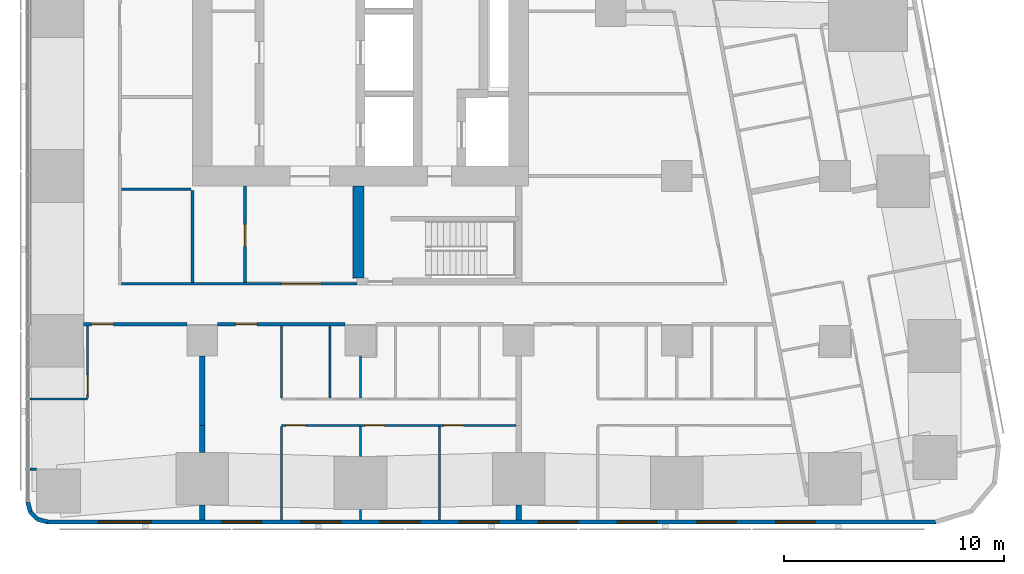
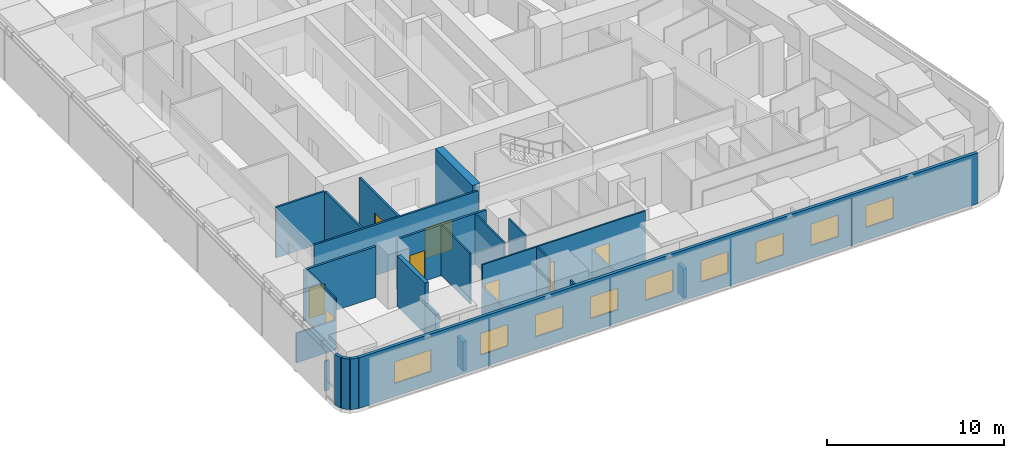
# One storey, part 10 of 19: 26 walls, 9 windows, 8 doors, 17 openings.
"""IFC4 building model written with IfcOpenShell, lengths in metres."""

from ifc_helpers import new_model, si_unit, direction, frame, frame_2d, origin, place, context, subcontext, project, spatial, rectangle, extrude, material, layer, layer_set, type_object, element, fill, save


model = new_model("IFC4")

# Units and contexts
model_context = context("Model", 3, precision=1e-05, world=origin(), true_north=direction((0.0, 1.0)))
body_context = subcontext(model_context, "Body", "Model", "MODEL_VIEW")
ifc_project = project(units=[si_unit("LENGTHUNIT", "METRE"), si_unit("AREAUNIT", "SQUARE_METRE"), si_unit("VOLUMEUNIT", "CUBIC_METRE"), si_unit("PLANEANGLEUNIT", "RADIAN"), si_unit("MASSUNIT", "GRAM", prefix="KILO")], contexts=[model_context])

# Site, building, storey
site_placement = place(None, origin())
site = spatial("IfcSite", under=ifc_project, at=site_placement, CompositionType="ELEMENT")
building_placement = place(site_placement, origin())
building = spatial("IfcBuilding", under=site, at=building_placement, Name="Sheger Commons Tower", CompositionType="ELEMENT")
storey_placement = place(building_placement, frame((0.0, 0.0, 201.199951171875)))
storey = spatial("IfcBuildingStorey", under=building, at=storey_placement, Name="L51", CompositionType="ELEMENT", Elevation=201.199951171875)

# Wall, opening, door
ifc_material_1 = material(Name="Hollow concrete block masonry, skimmed both sides", Category="masonry")
ifc_layer_1 = layer(ifc_material_1, 0.14990234375)
ifc_layer_set_1 = layer_set([ifc_layer_1], Name="CORRIDOR WALL 150")
wall_type_1 = type_object("IfcWallType", Name="CORRIDOR WALL 150", PredefinedType="SOLIDWALL", material=ifc_layer_set_1)
wall_1_placement = place(storey_placement, frame((20.89892578125, 8.25, 0.0), z_axis=(0.0, 0.0, 1.0), x_axis=(-1.0, 0.0, 0.0)))
wall_1 = element("IfcWall", 1, at=wall_1_placement, inside=storey, type_object=wall_type_1, Name="Corridor wall L51", PredefinedType="SOLIDWALL", context=body_context, shape_type="SweptSolid", body=[
    extrude(rectangle(XDim=5.7978515625, YDim=0.14990234375, at=frame_2d((2.89892578125, 0.0))), origin(), (0.0, 0.0, 1.0), 3.5),
])
opening_1_placement = place(wall_1_placement, frame((3.9990234375, 0.0, 0.0)))
opening_1 = element("IfcOpeningElement", 2, at=opening_1_placement, cuts=wall_1, Name="Opening D1", PredefinedType="OPENING", context=body_context, shape_type="SweptSolid", body=[
    extrude(rectangle(XDim=1.0, YDim=2.10009765625, at=frame_2d((0.5, 1.050048828125))), frame((0.0, 0.0849609375, 0.0), z_axis=(0.0, -1.0, 0.0), x_axis=(1.0, 0.0, 0.0)), (0.0, 0.0, 1.0), 0.169921875),
])
ifc_material_2 = material(Name="Steel door set, fire rated", Category="steel")
door_type_1 = type_object("IfcDoorType", Name="FLAT ENTRANCE DOOR 1000x2100", OperationType="NOTDEFINED", PredefinedType="DOOR", material=ifc_material_2)
door_1_placement = place(opening_1_placement, origin())
door_1 = element("IfcDoor", 3, at=door_1_placement, inside=storey, type_object=door_type_1, Name="Flat entrance door", OperationType="SINGLE_SWING_RIGHT", OverallHeight=2.10009765625, OverallWidth=1.0, PredefinedType="DOOR", context=body_context, shape_type="SweptSolid", body=[
    extrude(rectangle(XDim=1.0, YDim=2.10009765625, at=frame_2d((0.5, 1.050048828125))), frame((0.0, 0.02490234375, 0.0), z_axis=(0.0, -1.0, 0.0), x_axis=(1.0, 0.0, 0.0)), (0.0, 0.0, 1.0), 0.050048828125),
])
fill(opening_1, door_1)

wall_2_placement = place(storey_placement, frame((13.698974609375, 8.25, 0.0), z_axis=(0.0, 0.0, 1.0), x_axis=(-1.0, 0.0, 0.0)))
wall_2 = element("IfcWall", 4, at=wall_2_placement, inside=storey, type_object=wall_type_1, Name="Corridor wall L51", PredefinedType="SOLIDWALL", context=body_context, shape_type="SweptSolid", body=[
    extrude(rectangle(XDim=4.697998046875, YDim=0.14990234375, at=frame_2d((2.34912109375, 0.0))), origin(), (0.0, 0.0, 1.0), 3.5),
])
opening_2_placement = place(wall_2_placement, frame((3.344970703125, 0.0, 0.0)))
opening_2 = element("IfcOpeningElement", 5, at=opening_2_placement, cuts=wall_2, Name="Opening D1", PredefinedType="OPENING", context=body_context, shape_type="SweptSolid", body=[
    extrude(rectangle(XDim=1.0, YDim=2.10009765625, at=frame_2d((0.5, 1.050048828125))), frame((0.0, 0.0849609375, 0.0), z_axis=(0.0, -1.0, 0.0), x_axis=(1.0, 0.0, 0.0)), (0.0, 0.0, 1.0), 0.169921875),
])
door_2_placement = place(opening_2_placement, origin())
door_2 = element("IfcDoor", 6, at=door_2_placement, inside=storey, type_object=door_type_1, Name="Flat entrance door", OperationType="SINGLE_SWING_LEFT", OverallHeight=2.10009765625, OverallWidth=1.0, PredefinedType="DOOR", context=body_context, shape_type="SweptSolid", body=[
    extrude(rectangle(XDim=1.0, YDim=2.10009765625, at=frame_2d((0.5, 1.050048828125))), frame((0.0, 0.02490234375, 0.0), z_axis=(0.0, -1.0, 0.0), x_axis=(1.0, 0.0, 0.0)), (0.0, 0.0, 1.0), 0.050048828125),
])
fill(opening_2, door_2)

# Walls
ifc_material_3 = material(Name="Dense concrete block masonry, plastered both sides (separating wall between flats)", Category="masonry")
ifc_layer_2 = layer(ifc_material_3, 0.25)
ifc_layer_set_2 = layer_set([ifc_layer_2], Name="DEMISING WALL 250")
wall_type_2 = type_object("IfcWallType", Name="DEMISING WALL 250", PredefinedType="SOLIDWALL", material=ifc_layer_set_2)
wall_3_placement = place(storey_placement, frame((14.39990234375, -0.64990234375, 0.0), z_axis=(0.0, 0.0, 1.0), x_axis=(0.0, 1.0, 0.0)))
element("IfcWall", 7, at=wall_3_placement, inside=storey, type_object=wall_type_2, Name="Demising wall L51", PredefinedType="SOLIDWALL", context=body_context, shape_type="SweptSolid", body=[
    extrude(rectangle(XDim=0.673828125, YDim=0.25, at=frame_2d((0.3369140625, 0.0))), origin(), (0.0, 0.0, 1.0), 2.050048828125),
])
wall_4_placement = place(storey_placement, frame((14.39990234375, 2.426025390625, 0.0), z_axis=(0.0, 0.0, 1.0), x_axis=(0.0, 1.0, 0.0)))
element("IfcWall", 8, at=wall_4_placement, inside=storey, type_object=wall_type_2, Name="Demising wall L51", PredefinedType="SOLIDWALL", context=body_context, shape_type="SweptSolid", body=[
    extrude(rectangle(XDim=1.223876953125, YDim=0.25, at=frame_2d((0.61181640625, 0.0))), origin(), (0.0, 0.0, 1.0), 2.050048828125),
])
wall_5_placement = place(storey_placement, frame((14.39990234375, 3.64990234375, 0.0), z_axis=(0.0, 0.0, 1.0), x_axis=(0.0, 1.0, 0.0)))
element("IfcWall", 9, at=wall_5_placement, inside=storey, type_object=wall_type_2, Name="Demising wall L51", PredefinedType="SOLIDWALL", context=body_context, shape_type="SweptSolid", body=[
    extrude(rectangle(XDim=3.149169921875, YDim=0.25, at=frame_2d((1.57470703125, 0.0))), origin(), (0.0, 0.0, 1.0), 3.5),
])
wall_6_placement = place(storey_placement, frame((28.800048828125, -0.64990234375, 0.0), z_axis=(0.0, 0.0, 1.0), x_axis=(0.0, 1.0, 0.0)))
element("IfcWall", 10, at=wall_6_placement, inside=storey, type_object=wall_type_2, Name="Demising wall L51", PredefinedType="SOLIDWALL", context=body_context, shape_type="SweptSolid", body=[
    extrude(rectangle(XDim=0.673828125, YDim=0.25, at=frame_2d((0.3369140625, 0.0))), origin(), (0.0, 0.0, 1.0), 2.050048828125),
])

# Wall, openings, windows
ifc_material_4 = material(Name="Rendered concrete block masonry, dark grey", Category="masonry")
ifc_layer_3 = layer(ifc_material_4, 0.199951171875)
ifc_layer_set_3 = layer_set([ifc_layer_3], Name="FACADE WALL 200")
wall_type_3 = type_object("IfcWallType", Name="FACADE WALL 200", PredefinedType="SOLIDWALL", material=ifc_layer_set_3)
wall_7_placement = place(storey_placement, frame((7.363037109375, -0.75, 0.0), z_axis=(0.0, 0.0, 1.0), x_axis=(1.0, 0.0, 0.0)))
wall_7 = element("IfcWall", 11, at=wall_7_placement, inside=storey, type_object=wall_type_3, Name="Facade wall L51", PredefinedType="SOLIDWALL", context=body_context, shape_type="SweptSolid", body=[
    extrude(rectangle(XDim=40.427978515625, YDim=0.199951171875, at=frame_2d((20.2138671875, 0.0))), origin(), (0.0, 0.0, 1.0), 3.5),
])
opening_3_placement = place(wall_7_placement, frame((2.319091796875, 0.0, 0.89990234375)))
opening_3 = element("IfcOpeningElement", 12, at=opening_3_placement, cuts=wall_7, Name="Opening W1", PredefinedType="OPENING", context=body_context, shape_type="SweptSolid", body=[
    extrude(rectangle(XDim=2.39990234375, YDim=1.5, at=frame_2d((1.199951171875, 0.75))), frame((0.0, 0.10986328125, 0.0), z_axis=(0.0, -1.0, 0.0), x_axis=(1.0, 0.0, 0.0)), (0.0, 0.0, 1.0), 0.219970703125),
])
opening_4_placement = place(wall_7_placement, frame((7.93701171875, 0.0, 0.89990234375)))
opening_4 = element("IfcOpeningElement", 13, at=opening_4_placement, cuts=wall_7, Name="Opening W2", PredefinedType="OPENING", context=body_context, shape_type="SweptSolid", body=[
    extrude(rectangle(XDim=1.800048828125, YDim=1.5, at=frame_2d((0.89990234375, 0.75))), frame((0.0, 0.10986328125, 0.0), z_axis=(0.0, -1.0, 0.0), x_axis=(1.0, 0.0, 0.0)), (0.0, 0.0, 1.0), 0.219970703125),
])
opening_5_placement = place(wall_7_placement, frame((11.537109375, 0.0, 0.89990234375)))
opening_5 = element("IfcOpeningElement", 14, at=opening_5_placement, cuts=wall_7, Name="Opening W2", PredefinedType="OPENING", context=body_context, shape_type="SweptSolid", body=[
    extrude(rectangle(XDim=1.800048828125, YDim=1.5, at=frame_2d((0.89990234375, 0.75))), frame((0.0, 0.10986328125, 0.0), z_axis=(0.0, -1.0, 0.0), x_axis=(1.0, 0.0, 0.0)), (0.0, 0.0, 1.0), 0.219970703125),
])
opening_6_placement = place(wall_7_placement, frame((15.136962890625, 0.0, 0.89990234375)))
opening_6 = element("IfcOpeningElement", 15, at=opening_6_placement, cuts=wall_7, Name="Opening W2", PredefinedType="OPENING", context=body_context, shape_type="SweptSolid", body=[
    extrude(rectangle(XDim=1.800048828125, YDim=1.5, at=frame_2d((0.89990234375, 0.75))), frame((0.0, 0.10986328125, 0.0), z_axis=(0.0, -1.0, 0.0), x_axis=(1.0, 0.0, 0.0)), (0.0, 0.0, 1.0), 0.219970703125),
])
opening_7_placement = place(wall_7_placement, frame((18.737060546875, 0.0, 0.89990234375)))
opening_7 = element("IfcOpeningElement", 16, at=opening_7_placement, cuts=wall_7, Name="Opening W2", PredefinedType="OPENING", context=body_context, shape_type="SweptSolid", body=[
    extrude(rectangle(XDim=1.800048828125, YDim=1.5, at=frame_2d((0.89990234375, 0.75))), frame((0.0, 0.10986328125, 0.0), z_axis=(0.0, -1.0, 0.0), x_axis=(1.0, 0.0, 0.0)), (0.0, 0.0, 1.0), 0.219970703125),
])
opening_8_placement = place(wall_7_placement, frame((22.3369140625, 0.0, 0.89990234375)))
opening_8 = element("IfcOpeningElement", 17, at=opening_8_placement, cuts=wall_7, Name="Opening W2", PredefinedType="OPENING", context=body_context, shape_type="SweptSolid", body=[
    extrude(rectangle(XDim=1.800048828125, YDim=1.5, at=frame_2d((0.89990234375, 0.75))), frame((0.0, 0.10986328125, 0.0), z_axis=(0.0, -1.0, 0.0), x_axis=(1.0, 0.0, 0.0)), (0.0, 0.0, 1.0), 0.219970703125),
])
opening_9_placement = place(wall_7_placement, frame((25.93701171875, 0.0, 0.89990234375)))
opening_9 = element("IfcOpeningElement", 18, at=opening_9_placement, cuts=wall_7, Name="Opening W2", PredefinedType="OPENING", context=body_context, shape_type="SweptSolid", body=[
    extrude(rectangle(XDim=1.800048828125, YDim=1.5, at=frame_2d((0.89990234375, 0.75))), frame((0.0, 0.10986328125, 0.0), z_axis=(0.0, -1.0, 0.0), x_axis=(1.0, 0.0, 0.0)), (0.0, 0.0, 1.0), 0.219970703125),
])
opening_10_placement = place(wall_7_placement, frame((29.537109375, 0.0, 0.89990234375)))
opening_10 = element("IfcOpeningElement", 19, at=opening_10_placement, cuts=wall_7, Name="Opening W2", PredefinedType="OPENING", context=body_context, shape_type="SweptSolid", body=[
    extrude(rectangle(XDim=1.800048828125, YDim=1.5, at=frame_2d((0.89990234375, 0.75))), frame((0.0, 0.10986328125, 0.0), z_axis=(0.0, -1.0, 0.0), x_axis=(1.0, 0.0, 0.0)), (0.0, 0.0, 1.0), 0.219970703125),
])
opening_11_placement = place(wall_7_placement, frame((33.136962890625, 0.0, 0.89990234375)))
opening_11 = element("IfcOpeningElement", 20, at=opening_11_placement, cuts=wall_7, Name="Opening W2", PredefinedType="OPENING", context=body_context, shape_type="SweptSolid", body=[
    extrude(rectangle(XDim=1.800048828125, YDim=1.5, at=frame_2d((0.89990234375, 0.75))), frame((0.0, 0.10986328125, 0.0), z_axis=(0.0, -1.0, 0.0), x_axis=(1.0, 0.0, 0.0)), (0.0, 0.0, 1.0), 0.219970703125),
])
ifc_material_5 = material(Name="Black aluminium frame, dark tinted double glazing", Category="aluminium")
window_type_1 = type_object("IfcWindowType", Name="WINDOW W1 2400x1500", PartitioningType="SINGLE_PANEL", PredefinedType="WINDOW", material=ifc_material_5)
window_1_placement = place(opening_3_placement, origin())
window_1 = element("IfcWindow", 21, at=window_1_placement, inside=storey, type_object=window_type_1, Name="Window W1 2400X1500", OverallHeight=1.5, OverallWidth=2.39990234375, PartitioningType="SINGLE_PANEL", PredefinedType="WINDOW", context=body_context, shape_type="SweptSolid", body=[
    extrude(rectangle(XDim=2.39990234375, YDim=1.5, at=frame_2d((1.199951171875, 0.75))), frame((0.0, 0.030029296875, 0.0), z_axis=(0.0, -1.0, 0.0), x_axis=(1.0, 0.0, 0.0)), (0.0, 0.0, 1.0), 0.06005859375),
])
fill(opening_3, window_1)
ifc_material_6 = material(Name="Black aluminium frame, dark tinted double glazing", Category="aluminium")
window_type_2 = type_object("IfcWindowType", Name="WINDOW W2 1800x1500", PartitioningType="SINGLE_PANEL", PredefinedType="WINDOW", material=ifc_material_6)
window_2_placement = place(opening_4_placement, origin())
window_2 = element("IfcWindow", 22, at=window_2_placement, inside=storey, type_object=window_type_2, Name="Window W2 1800X1500", OverallHeight=1.5, OverallWidth=1.800048828125, PartitioningType="SINGLE_PANEL", PredefinedType="WINDOW", context=body_context, shape_type="SweptSolid", body=[
    extrude(rectangle(XDim=1.800048828125, YDim=1.5, at=frame_2d((0.89990234375, 0.75))), frame((0.0, 0.030029296875, 0.0), z_axis=(0.0, -1.0, 0.0), x_axis=(1.0, 0.0, 0.0)), (0.0, 0.0, 1.0), 0.06005859375),
])
fill(opening_4, window_2)
window_3_placement = place(opening_5_placement, origin())
window_3 = element("IfcWindow", 23, at=window_3_placement, inside=storey, type_object=window_type_2, Name="Window W2 1800X1500", OverallHeight=1.5, OverallWidth=1.800048828125, PartitioningType="SINGLE_PANEL", PredefinedType="WINDOW", context=body_context, shape_type="SweptSolid", body=[
    extrude(rectangle(XDim=1.800048828125, YDim=1.5, at=frame_2d((0.89990234375, 0.75))), frame((0.0, 0.030029296875, 0.0), z_axis=(0.0, -1.0, 0.0), x_axis=(1.0, 0.0, 0.0)), (0.0, 0.0, 1.0), 0.06005859375),
])
fill(opening_5, window_3)
window_4_placement = place(opening_6_placement, origin())
window_4 = element("IfcWindow", 24, at=window_4_placement, inside=storey, type_object=window_type_2, Name="Window W2 1800X1500", OverallHeight=1.5, OverallWidth=1.800048828125, PartitioningType="SINGLE_PANEL", PredefinedType="WINDOW", context=body_context, shape_type="SweptSolid", body=[
    extrude(rectangle(XDim=1.800048828125, YDim=1.5, at=frame_2d((0.89990234375, 0.75))), frame((0.0, 0.030029296875, 0.0), z_axis=(0.0, -1.0, 0.0), x_axis=(1.0, 0.0, 0.0)), (0.0, 0.0, 1.0), 0.06005859375),
])
fill(opening_6, window_4)
window_5_placement = place(opening_7_placement, origin())
window_5 = element("IfcWindow", 25, at=window_5_placement, inside=storey, type_object=window_type_2, Name="Window W2 1800X1500", OverallHeight=1.5, OverallWidth=1.800048828125, PartitioningType="SINGLE_PANEL", PredefinedType="WINDOW", context=body_context, shape_type="SweptSolid", body=[
    extrude(rectangle(XDim=1.800048828125, YDim=1.5, at=frame_2d((0.89990234375, 0.75))), frame((0.0, 0.030029296875, 0.0), z_axis=(0.0, -1.0, 0.0), x_axis=(1.0, 0.0, 0.0)), (0.0, 0.0, 1.0), 0.06005859375),
])
fill(opening_7, window_5)
window_6_placement = place(opening_8_placement, origin())
window_6 = element("IfcWindow", 26, at=window_6_placement, inside=storey, type_object=window_type_2, Name="Window W2 1800X1500", OverallHeight=1.5, OverallWidth=1.800048828125, PartitioningType="SINGLE_PANEL", PredefinedType="WINDOW", context=body_context, shape_type="SweptSolid", body=[
    extrude(rectangle(XDim=1.800048828125, YDim=1.5, at=frame_2d((0.89990234375, 0.75))), frame((0.0, 0.030029296875, 0.0), z_axis=(0.0, -1.0, 0.0), x_axis=(1.0, 0.0, 0.0)), (0.0, 0.0, 1.0), 0.06005859375),
])
fill(opening_8, window_6)
window_7_placement = place(opening_9_placement, origin())
window_7 = element("IfcWindow", 27, at=window_7_placement, inside=storey, type_object=window_type_2, Name="Window W2 1800X1500", OverallHeight=1.5, OverallWidth=1.800048828125, PartitioningType="SINGLE_PANEL", PredefinedType="WINDOW", context=body_context, shape_type="SweptSolid", body=[
    extrude(rectangle(XDim=1.800048828125, YDim=1.5, at=frame_2d((0.89990234375, 0.75))), frame((0.0, 0.030029296875, 0.0), z_axis=(0.0, -1.0, 0.0), x_axis=(1.0, 0.0, 0.0)), (0.0, 0.0, 1.0), 0.06005859375),
])
fill(opening_9, window_7)
window_8_placement = place(opening_10_placement, origin())
window_8 = element("IfcWindow", 28, at=window_8_placement, inside=storey, type_object=window_type_2, Name="Window W2 1800X1500", OverallHeight=1.5, OverallWidth=1.800048828125, PartitioningType="SINGLE_PANEL", PredefinedType="WINDOW", context=body_context, shape_type="SweptSolid", body=[
    extrude(rectangle(XDim=1.800048828125, YDim=1.5, at=frame_2d((0.89990234375, 0.75))), frame((0.0, 0.030029296875, 0.0), z_axis=(0.0, -1.0, 0.0), x_axis=(1.0, 0.0, 0.0)), (0.0, 0.0, 1.0), 0.06005859375),
])
fill(opening_10, window_8)
window_9_placement = place(opening_11_placement, origin())
window_9 = element("IfcWindow", 29, at=window_9_placement, inside=storey, type_object=window_type_2, Name="Window W2 1800X1500", OverallHeight=1.5, OverallWidth=1.800048828125, PartitioningType="SINGLE_PANEL", PredefinedType="WINDOW", context=body_context, shape_type="SweptSolid", body=[
    extrude(rectangle(XDim=1.800048828125, YDim=1.5, at=frame_2d((0.89990234375, 0.75))), frame((0.0, 0.030029296875, 0.0), z_axis=(0.0, -1.0, 0.0), x_axis=(1.0, 0.0, 0.0)), (0.0, 0.0, 1.0), 0.06005859375),
])
fill(opening_11, window_9)

# Walls
wall_8_placement = place(storey_placement, frame((6.449951171875, 0.1630859375, 0.0), z_axis=(0.0, 0.0, 1.0), x_axis=(0.259698463175, -0.965689757751, 0.0)))
element("IfcWall", 30, at=wall_8_placement, inside=storey, type_object=wall_type_3, Name="Facade wall L51", PredefinedType="SOLIDWALL", context=body_context, shape_type="SweptSolid", body=[
    extrude(rectangle(XDim=0.4775390625, YDim=0.199951171875, at=frame_2d((0.23876953125, 0.0))), origin(), (0.0, 0.0, 1.0), 3.5),
])
wall_9_placement = place(storey_placement, frame((6.573974609375, -0.298095703125, 0.0), z_axis=(0.0, 0.0, 1.0), x_axis=(0.707369890659, -0.706843573776, 0.0)))
element("IfcWall", 31, at=wall_9_placement, inside=storey, type_object=wall_type_3, Name="Facade wall L51", PredefinedType="SOLIDWALL", context=body_context, shape_type="SweptSolid", body=[
    extrude(rectangle(XDim=0.4638671875, YDim=0.199951171875, at=frame_2d((0.23193359375, 0.0))), origin(), (0.0, 0.0, 1.0), 3.5),
])
wall_10_placement = place(storey_placement, frame((6.902099609375, -0.6259765625, 0.0), z_axis=(0.0, 0.0, 1.0), x_axis=(0.965655254015, -0.259826731483, 0.0)))
element("IfcWall", 32, at=wall_10_placement, inside=storey, type_object=wall_type_3, Name="Facade wall L51", PredefinedType="SOLIDWALL", context=body_context, shape_type="SweptSolid", body=[
    extrude(rectangle(XDim=0.477294921875, YDim=0.199951171875, at=frame_2d((0.23876953125, 0.0))), origin(), (0.0, 0.0, 1.0), 3.5),
])
ifc_material_7 = material(Name="Gypsum board on steel studs", Category="steel")
ifc_layer_4 = layer(ifc_material_7, 0.10009765625)
ifc_layer_set_4 = layer_set([ifc_layer_4], Name="PARTITION 100")
wall_type_4 = type_object("IfcWallType", Name="PARTITION 100", PredefinedType="PARTITIONING", material=ifc_layer_set_4)
wall_11_placement = place(storey_placement, frame((6.550048828125, 1.654052734375, 0.0), z_axis=(0.0, 0.0, 1.0), x_axis=(1.0, 0.0, 0.0)))
element("IfcWall", 33, at=wall_11_placement, inside=storey, type_object=wall_type_4, Name="Partition L51", PredefinedType="PARTITIONING", context=body_context, shape_type="SweptSolid", body=[
    extrude(rectangle(XDim=0.303955078125, YDim=0.10009765625, at=frame_2d((0.15185546875, 0.0))), origin(), (0.0, 0.0, 1.0), 2.050048828125),
])
wall_12_placement = place(storey_placement, frame((9.178955078125, 4.85009765625, 0.0), z_axis=(0.0, 0.0, 1.0), x_axis=(-1.0, 0.0, 0.0)))
element("IfcWall", 34, at=wall_12_placement, inside=storey, type_object=wall_type_4, Name="Partition L51", PredefinedType="PARTITIONING", context=body_context, shape_type="SweptSolid", body=[
    extrude(rectangle(XDim=2.62890625, YDim=0.10009765625, at=frame_2d((1.314453125, 0.0))), origin(), (0.0, 0.0, 1.0), 2.050048828125),
])

# Wall, opening, door
wall_13_placement = place(storey_placement, frame((9.178955078125, 4.89990234375, 0.0), z_axis=(0.0, 0.0, 1.0), x_axis=(0.0, 1.0, 0.0)))
wall_13 = element("IfcWall", 35, at=wall_13_placement, inside=storey, type_object=wall_type_4, Name="Partition L51", PredefinedType="PARTITIONING", context=body_context, shape_type="SweptSolid", body=[
    extrude(rectangle(XDim=3.275146484375, YDim=0.10009765625, at=frame_2d((1.6376953125, 0.0))), origin(), (0.0, 0.0, 1.0), 3.5),
])
opening_12_placement = place(wall_13_placement, frame((0.14990234375, 0.0, 0.0)))
opening_12 = element("IfcOpeningElement", 36, at=opening_12_placement, cuts=wall_13, Name="Opening D2", PredefinedType="OPENING", context=body_context, shape_type="SweptSolid", body=[
    extrude(rectangle(XDim=0.89990234375, YDim=2.10009765625, at=frame_2d((0.449951171875, 1.050048828125))), frame((0.0, 0.06005859375, 0.0), z_axis=(0.0, -1.0, 0.0), x_axis=(1.0, 0.0, 0.0)), (0.0, 0.0, 1.0), 0.1201171875),
])
ifc_material_8 = material(Name="Timber door set", Category="wood")
door_type_2 = type_object("IfcDoorType", Name="INTERNAL DOOR 900x2100", OperationType="NOTDEFINED", PredefinedType="DOOR", material=ifc_material_8)
door_3_placement = place(opening_12_placement, origin())
door_3 = element("IfcDoor", 37, at=door_3_placement, inside=storey, type_object=door_type_2, Name="Shower room door", OperationType="SINGLE_SWING_LEFT", OverallHeight=2.10009765625, OverallWidth=0.89990234375, PredefinedType="DOOR", context=body_context, shape_type="SweptSolid", body=[
    extrude(rectangle(XDim=0.89990234375, YDim=2.10009765625, at=frame_2d((0.449951171875, 1.050048828125))), frame((0.0, 0.02490234375, 0.0), z_axis=(0.0, -1.0, 0.0), x_axis=(1.0, 0.0, 0.0)), (0.0, 0.0, 1.0), 0.050048828125),
])
fill(opening_12, door_3)

# Wall, openings, doors
wall_14_placement = place(storey_placement, frame((28.675048828125, 3.64990234375, 0.0), z_axis=(0.0, 0.0, 1.0), x_axis=(-1.0, 0.0, 0.0)))
wall_14 = element("IfcWall", 38, at=wall_14_placement, inside=storey, type_object=wall_type_4, Name="Partition L51", PredefinedType="PARTITIONING", context=body_context, shape_type="SweptSolid", body=[
    extrude(rectangle(XDim=10.675048828125, YDim=0.10009765625, at=frame_2d((5.33740234375, 0.0))), origin(), (0.0, 0.0, 1.0), 3.5),
])
opening_13_placement = place(wall_14_placement, frame((9.574951171875, 0.0, 0.0)))
opening_13 = element("IfcOpeningElement", 39, at=opening_13_placement, cuts=wall_14, Name="Opening D2", PredefinedType="OPENING", context=body_context, shape_type="SweptSolid", body=[
    extrude(rectangle(XDim=0.89990234375, YDim=2.10009765625, at=frame_2d((0.449951171875, 1.050048828125))), frame((0.0, 0.06005859375, 0.0), z_axis=(0.0, -1.0, 0.0), x_axis=(1.0, 0.0, 0.0)), (0.0, 0.0, 1.0), 0.1201171875),
])
opening_14_placement = place(wall_14_placement, frame((5.97509765625, 0.0, 0.0)))
opening_14 = element("IfcOpeningElement", 40, at=opening_14_placement, cuts=wall_14, Name="Opening D2", PredefinedType="OPENING", context=body_context, shape_type="SweptSolid", body=[
    extrude(rectangle(XDim=0.89990234375, YDim=2.10009765625, at=frame_2d((0.449951171875, 1.050048828125))), frame((0.0, 0.06005859375, 0.0), z_axis=(0.0, -1.0, 0.0), x_axis=(1.0, 0.0, 0.0)), (0.0, 0.0, 1.0), 0.1201171875),
])
opening_15_placement = place(wall_14_placement, frame((2.375, 0.0, 0.0)))
opening_15 = element("IfcOpeningElement", 41, at=opening_15_placement, cuts=wall_14, Name="Opening D2", PredefinedType="OPENING", context=body_context, shape_type="SweptSolid", body=[
    extrude(rectangle(XDim=0.89990234375, YDim=2.10009765625, at=frame_2d((0.449951171875, 1.050048828125))), frame((0.0, 0.06005859375, 0.0), z_axis=(0.0, -1.0, 0.0), x_axis=(1.0, 0.0, 0.0)), (0.0, 0.0, 1.0), 0.1201171875),
])
door_4_placement = place(opening_13_placement, origin())
door_4 = element("IfcDoor", 42, at=door_4_placement, inside=storey, type_object=door_type_2, Name="Main bedroom door", OperationType="SINGLE_SWING_RIGHT", OverallHeight=2.10009765625, OverallWidth=0.89990234375, PredefinedType="DOOR", context=body_context, shape_type="SweptSolid", body=[
    extrude(rectangle(XDim=0.89990234375, YDim=2.10009765625, at=frame_2d((0.449951171875, 1.050048828125))), frame((0.0, 0.02490234375, 0.0), z_axis=(0.0, -1.0, 0.0), x_axis=(1.0, 0.0, 0.0)), (0.0, 0.0, 1.0), 0.050048828125),
])
fill(opening_13, door_4)
door_5_placement = place(opening_14_placement, origin())
door_5 = element("IfcDoor", 43, at=door_5_placement, inside=storey, type_object=door_type_2, Name="Bedroom 2 door", OperationType="SINGLE_SWING_RIGHT", OverallHeight=2.10009765625, OverallWidth=0.89990234375, PredefinedType="DOOR", context=body_context, shape_type="SweptSolid", body=[
    extrude(rectangle(XDim=0.89990234375, YDim=2.10009765625, at=frame_2d((0.449951171875, 1.050048828125))), frame((0.0, 0.02490234375, 0.0), z_axis=(0.0, -1.0, 0.0), x_axis=(1.0, 0.0, 0.0)), (0.0, 0.0, 1.0), 0.050048828125),
])
fill(opening_14, door_5)
door_6_placement = place(opening_15_placement, origin())
door_6 = element("IfcDoor", 44, at=door_6_placement, inside=storey, type_object=door_type_2, Name="Bedroom 3 door", OperationType="SINGLE_SWING_RIGHT", OverallHeight=2.10009765625, OverallWidth=0.89990234375, PredefinedType="DOOR", context=body_context, shape_type="SweptSolid", body=[
    extrude(rectangle(XDim=0.89990234375, YDim=2.10009765625, at=frame_2d((0.449951171875, 1.050048828125))), frame((0.0, 0.02490234375, 0.0), z_axis=(0.0, -1.0, 0.0), x_axis=(1.0, 0.0, 0.0)), (0.0, 0.0, 1.0), 0.050048828125),
])
fill(opening_15, door_6)

# Walls
wall_15_placement = place(storey_placement, frame((18.0, -0.64990234375, 0.0), z_axis=(0.0, 0.0, 1.0), x_axis=(0.0, 1.0, 0.0)))
element("IfcWall", 45, at=wall_15_placement, inside=storey, type_object=wall_type_4, Name="Partition L51", PredefinedType="PARTITIONING", context=body_context, shape_type="SweptSolid", body=[
    extrude(rectangle(XDim=4.25, YDim=0.10009765625, at=frame_2d((2.125, 0.0))), origin(), (0.0, 0.0, 1.0), 2.050048828125),
])
wall_16_placement = place(storey_placement, frame((21.60009765625, -0.64990234375, 0.0), z_axis=(0.0, 0.0, 1.0), x_axis=(0.0, 1.0, 0.0)))
element("IfcWall", 46, at=wall_16_placement, inside=storey, type_object=wall_type_4, Name="Partition L51", PredefinedType="PARTITIONING", context=body_context, shape_type="SweptSolid", body=[
    extrude(rectangle(XDim=0.473876953125, YDim=0.10009765625, at=frame_2d((0.23681640625, 0.0))), origin(), (0.0, 0.0, 1.0), 3.5),
])
wall_17_placement = place(storey_placement, frame((21.60009765625, 2.22607421875, 0.0), z_axis=(0.0, 0.0, 1.0), x_axis=(0.0, 1.0, 0.0)))
element("IfcWall", 47, at=wall_17_placement, inside=storey, type_object=wall_type_4, Name="Partition L51", PredefinedType="PARTITIONING", context=body_context, shape_type="SweptSolid", body=[
    extrude(rectangle(XDim=1.3740234375, YDim=0.10009765625, at=frame_2d((0.68701171875, 0.0))), origin(), (0.0, 0.0, 1.0), 3.5),
])
wall_18_placement = place(storey_placement, frame((25.199951171875, -0.64990234375, 0.0), z_axis=(0.0, 0.0, 1.0), x_axis=(0.0, 1.0, 0.0)))
element("IfcWall", 48, at=wall_18_placement, inside=storey, type_object=wall_type_4, Name="Partition L51", PredefinedType="PARTITIONING", context=body_context, shape_type="SweptSolid", body=[
    extrude(rectangle(XDim=4.25, YDim=0.10009765625, at=frame_2d((2.125, 0.0))), origin(), (0.0, 0.0, 1.0), 2.050048828125),
])
wall_19_placement = place(storey_placement, frame((18.0, 4.89990234375, 0.0), z_axis=(0.0, 0.0, 1.0), x_axis=(0.0, 1.0, 0.0)))
element("IfcWall", 49, at=wall_19_placement, inside=storey, type_object=wall_type_4, Name="Partition L51", PredefinedType="PARTITIONING", context=body_context, shape_type="SweptSolid", body=[
    extrude(rectangle(XDim=3.275146484375, YDim=0.10009765625, at=frame_2d((1.6376953125, 0.0))), origin(), (0.0, 0.0, 1.0), 3.5),
])
wall_20_placement = place(storey_placement, frame((21.60009765625, 4.89990234375, 0.0), z_axis=(0.0, 0.0, 1.0), x_axis=(0.0, 1.0, 0.0)))
element("IfcWall", 50, at=wall_20_placement, inside=storey, type_object=wall_type_4, Name="Partition L51", PredefinedType="PARTITIONING", context=body_context, shape_type="SweptSolid", body=[
    extrude(rectangle(XDim=1.899169921875, YDim=0.10009765625, at=frame_2d((0.94970703125, 0.0))), origin(), (0.0, 0.0, 1.0), 3.5),
])
wall_21_placement = place(storey_placement, frame((20.2099609375, 4.89990234375, 0.0), z_axis=(0.0, 0.0, 1.0), x_axis=(0.0, 1.0, 0.0)))
element("IfcWall", 51, at=wall_21_placement, inside=storey, type_object=wall_type_4, Name="Partition L51", PredefinedType="PARTITIONING", context=body_context, shape_type="SweptSolid", body=[
    extrude(rectangle(XDim=3.275146484375, YDim=0.10009765625, at=frame_2d((1.6376953125, 0.0))), origin(), (0.0, 0.0, 1.0), 3.5),
])
ifc_material_9 = material(Name="Gypsum board on steel studs, two layers each side, fire rated", Category="steel")
ifc_layer_5 = layer(ifc_material_9, 0.125)
ifc_layer_set_5 = layer_set([ifc_layer_5], Name="SERVICE WALL 125")
wall_type_5 = type_object("IfcWallType", Name="SERVICE WALL 125", PredefinedType="PARTITIONING", material=ifc_layer_set_5)
wall_22_placement = place(storey_placement, frame((10.712890625, 14.39990234375, 0.0), z_axis=(0.0, 0.0, 1.0), x_axis=(1.0, 0.0, 0.0)))
element("IfcWall", 52, at=wall_22_placement, inside=storey, type_object=wall_type_5, Name="Service room wall L51", PredefinedType="PARTITIONING", context=body_context, shape_type="SweptSolid", body=[
    extrude(rectangle(XDim=3.175048828125, YDim=0.125, at=frame_2d((1.58740234375, 0.0))), origin(), (0.0, 0.0, 1.0), 3.5),
])
wall_23_placement = place(storey_placement, frame((13.949951171875, 10.1630859375, 0.0), z_axis=(0.0, 0.0, 1.0), x_axis=(0.0, 1.0, 0.0)))
element("IfcWall", 53, at=wall_23_placement, inside=storey, type_object=wall_type_5, Name="Service room wall L51", PredefinedType="PARTITIONING", context=body_context, shape_type="SweptSolid", body=[
    extrude(rectangle(XDim=4.1748046875, YDim=0.125, at=frame_2d((2.08740234375, 0.0))), origin(), (0.0, 0.0, 1.0), 3.5),
])

# Wall, opening, door
wall_24_placement = place(storey_placement, frame((10.712890625, 10.10009765625, 0.0), z_axis=(0.0, 0.0, 1.0), x_axis=(1.0, 0.0, 0.0)))
wall_24 = element("IfcWall", 54, at=wall_24_placement, inside=storey, type_object=wall_type_5, Name="Service room wall L51", PredefinedType="PARTITIONING", context=body_context, shape_type="SweptSolid", body=[
    extrude(rectangle(XDim=10.737060546875, YDim=0.125, at=frame_2d((5.36865234375, 0.0))), origin(), (0.0, 0.0, 1.0), 3.5),
])
opening_16_placement = place(wall_24_placement, frame((7.281982421875, 0.0, 0.0)))
opening_16 = element("IfcOpeningElement", 55, at=opening_16_placement, cuts=wall_24, Name="Opening D6", PredefinedType="OPENING", context=body_context, shape_type="SweptSolid", body=[
    extrude(rectangle(XDim=1.800048828125, YDim=2.10009765625, at=frame_2d((0.89990234375, 1.050048828125))), frame((0.0, 0.072509765625, 0.0), z_axis=(0.0, -1.0, 0.0), x_axis=(1.0, 0.0, 0.0)), (0.0, 0.0, 1.0), 0.14501953125),
])
ifc_material_10 = material(Name="Steel door set, fire rated", Category="steel")
door_type_3 = type_object("IfcDoorType", Name="LOBBY DOUBLE DOOR 1800x2100", OperationType="DOUBLE_DOOR_SINGLE_SWING", PredefinedType="DOOR", material=ifc_material_10)
door_7_placement = place(opening_16_placement, origin())
door_7 = element("IfcDoor", 56, at=door_7_placement, inside=storey, type_object=door_type_3, Name="Lift lobby south door", OperationType="DOUBLE_DOOR_SINGLE_SWING", OverallHeight=2.10009765625, OverallWidth=1.800048828125, PredefinedType="DOOR", context=body_context, shape_type="SweptSolid", body=[
    extrude(rectangle(XDim=1.800048828125, YDim=2.10009765625, at=frame_2d((0.89990234375, 1.050048828125))), frame((0.0, 0.02490234375, 0.0), z_axis=(0.0, -1.0, 0.0), x_axis=(1.0, 0.0, 0.0)), (0.0, 0.0, 1.0), 0.050048828125),
])
fill(opening_16, door_7)

wall_25_placement = place(storey_placement, frame((16.340087890625, 10.1630859375, 0.0), z_axis=(0.0, 0.0, 1.0), x_axis=(0.0, 1.0, 0.0)))
wall_25 = element("IfcWall", 57, at=wall_25_placement, inside=storey, type_object=wall_type_5, Name="Service room wall L51", PredefinedType="PARTITIONING", context=body_context, shape_type="SweptSolid", body=[
    extrude(rectangle(XDim=4.386962890625, YDim=0.125, at=frame_2d((2.193359375, 0.0))), origin(), (0.0, 0.0, 1.0), 3.5),
])
opening_17_placement = place(wall_25_placement, frame((1.636962890625, 0.0, 0.0)))
opening_17 = element("IfcOpeningElement", 58, at=opening_17_placement, cuts=wall_25, Name="Opening D4", PredefinedType="OPENING", context=body_context, shape_type="SweptSolid", body=[
    extrude(rectangle(XDim=1.0, YDim=2.10009765625, at=frame_2d((0.5, 1.050048828125))), frame((0.0, 0.072509765625, 0.0), z_axis=(0.0, -1.0, 0.0), x_axis=(1.0, 0.0, 0.0)), (0.0, 0.0, 1.0), 0.14501953125),
])
ifc_material_11 = material(Name="Steel door set, fire rated", Category="steel")
door_type_4 = type_object("IfcDoorType", Name="SERVICE DOOR 1000x2100", OperationType="NOTDEFINED", PredefinedType="DOOR", material=ifc_material_11)
door_8_placement = place(opening_17_placement, origin())
door_8 = element("IfcDoor", 59, at=door_8_placement, inside=storey, type_object=door_type_4, Name="Electrical room door", OperationType="SINGLE_SWING_LEFT", OverallHeight=2.10009765625, OverallWidth=1.0, PredefinedType="DOOR", context=body_context, shape_type="SweptSolid", body=[
    extrude(rectangle(XDim=1.0, YDim=2.10009765625, at=frame_2d((0.5, 1.050048828125))), frame((0.0, 0.02490234375, 0.0), z_axis=(0.0, -1.0, 0.0), x_axis=(1.0, 0.0, 0.0)), (0.0, 0.0, 1.0), 0.050048828125),
])
fill(opening_17, door_8)

# Wall
ifc_material_12 = material(Name="Concrete C50/60", Category="concrete")
ifc_layer_6 = layer(ifc_material_12, 0.5)
ifc_layer_set_6 = layer_set([ifc_layer_6], Name="STAIR CORE WALL 500")
wall_type_6 = type_object("IfcWallType", Name="STAIR CORE WALL 500", PredefinedType="SHEAR", material=ifc_layer_set_6)
wall_26_placement = place(storey_placement, frame((21.5, 10.35009765625, 0.0), z_axis=(0.0, 0.0, 1.0), x_axis=(0.0, 1.0, 0.0)))
element("IfcWall", 60, at=wall_26_placement, inside=storey, type_object=wall_type_6, Name="STW-L51-S1W", PredefinedType="SHEAR", context=body_context, shape_type="SweptSolid", body=[
    extrude(rectangle(XDim=4.199951171875, YDim=0.5, at=frame_2d((2.10009765625, 0.0))), origin(), (0.0, 0.0, 1.0), 3.75),
])

save(model, "model.ifc")
